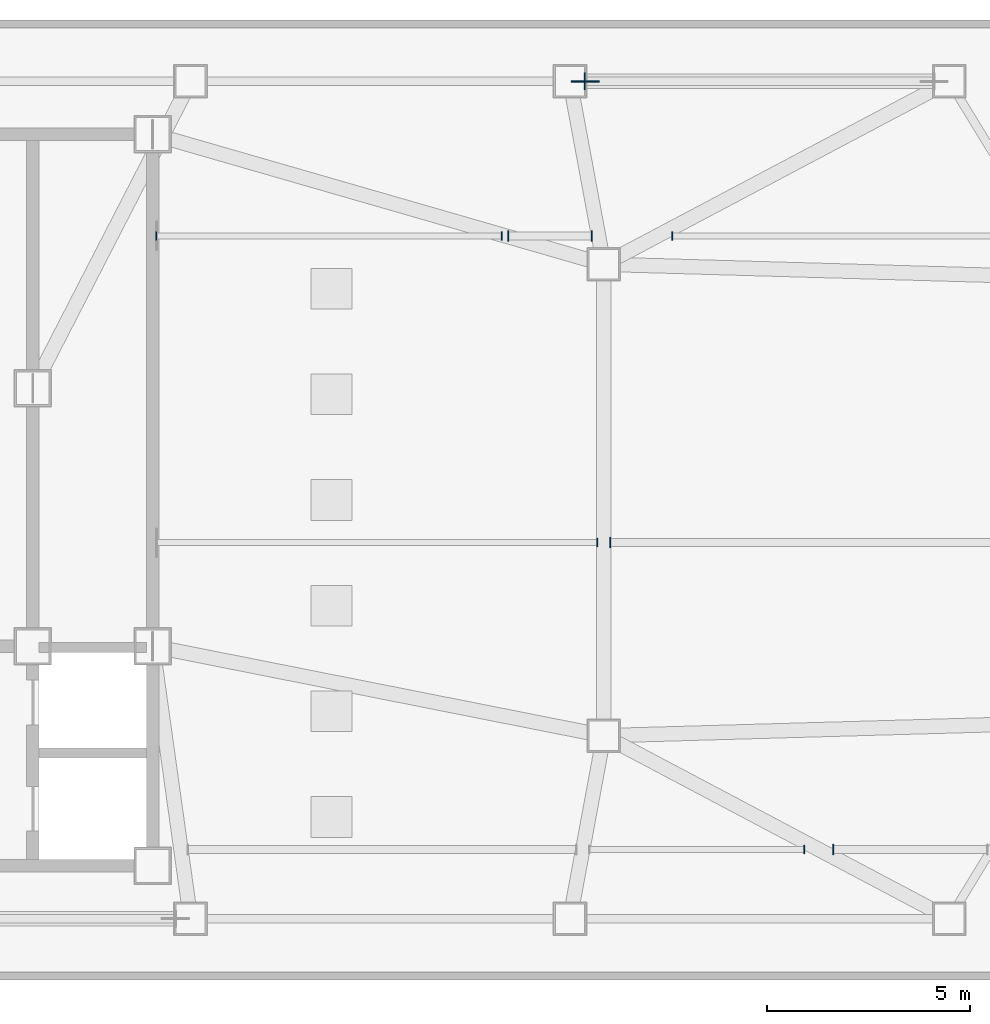
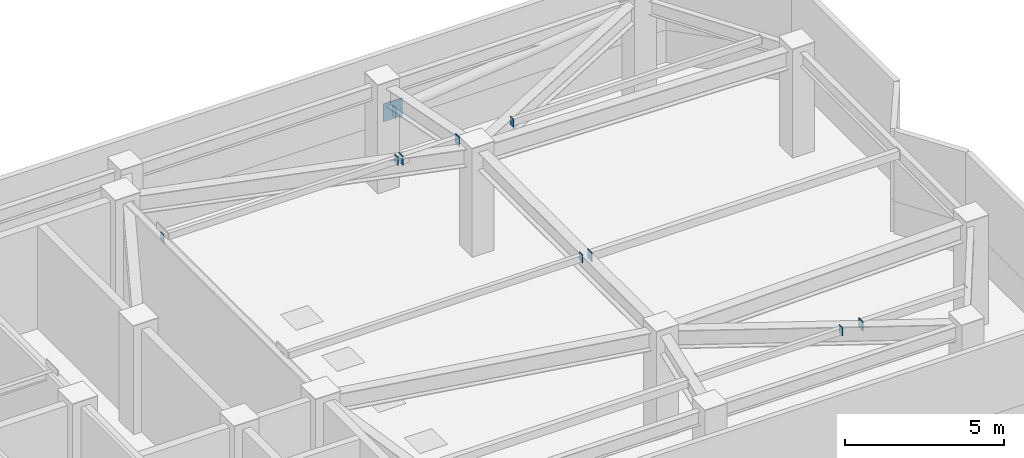
# One storey, part 4 of 7: 11 plates.
"""IFC4 building model written with IfcOpenShell, lengths in metres."""

from ifc_helpers import new_model, si_unit, direction, frame, origin, origin_2d, place, context, subcontext, project, spatial, rectangle, extrude, material, layer, layer_set, type_object, element, save


model = new_model("IFC4")

# Units and contexts
model_context = context("Model", 3, precision=1e-05, world=origin(), true_north=direction((0.0, 1.0)))
body_context = subcontext(model_context, "Body", "Model", "MODEL_VIEW")
ifc_project = project(units=[si_unit("LENGTHUNIT", "METRE"), si_unit("AREAUNIT", "SQUARE_METRE"), si_unit("VOLUMEUNIT", "CUBIC_METRE"), si_unit("PLANEANGLEUNIT", "RADIAN"), si_unit("MASSUNIT", "GRAM", prefix="KILO")], contexts=[model_context])

# Site, building, storey
site_placement = place(None, origin())
site = spatial("IfcSite", under=ifc_project, at=site_placement, CompositionType="ELEMENT")
building_placement = place(site_placement, origin())
building = spatial("IfcBuilding", under=site, at=building_placement, Name="Khamvora Tower", CompositionType="ELEMENT")
storey_placement = place(building_placement, frame((0.0, 0.0, 307.85009765625)))
storey = spatial("IfcBuildingStorey", under=building, at=storey_placement, Name="ROOF", CompositionType="ELEMENT", Elevation=307.85009765625)

# Plates
ifc_material_1 = material(Name="Steel S355", Category="steel")
ifc_layer_1 = layer(ifc_material_1, 0.02490234375)
ifc_layer_set_1 = layer_set([ifc_layer_1], Name="Steel S355")
plate_type_1 = type_object("IfcPlateType", Name="PL-CAP-25", PredefinedType="SHEET", material=ifc_layer_set_1)
plate_1_placement = place(storey_placement, frame((50.032958984375, 38.300048828125, 2.511962890625), z_axis=(0.0, 0.0, 1.0), x_axis=(1.0, 0.0, 0.0)))
element("IfcPlate", 1, at=plate_1_placement, inside=storey, type_object=plate_type_1, Name="ROOF hollow section steel end cap plate 1327", PredefinedType="SHEET", context=body_context, shape_type="SweptSolid", body=[
    extrude(rectangle(XDim=0.02490234375, YDim=0.416015625, at=origin_2d()), origin(), (0.0, 0.0, 1.0), 0.416015625),
])
plate_2_placement = place(storey_placement, frame((55.427978515625, 19.39990234375, 3.669921875), z_axis=(0.0, 0.0, 1.0), x_axis=(1.0, 0.0, 0.0)))
element("IfcPlate", 2, at=plate_2_placement, inside=storey, type_object=plate_type_1, Name="ROOF hollow section steel end cap plate 1332", PredefinedType="SHEET", context=body_context, shape_type="SweptSolid", body=[
    extrude(rectangle(XDim=0.02490234375, YDim=0.2099609375, at=origin_2d()), origin(), (0.0, 0.0, 1.0), 0.31005859375),
])
plate_3_placement = place(storey_placement, frame((56.14990234375, 19.39990234375, 3.61962890625), z_axis=(0.0, 0.0, 1.0), x_axis=(1.0, 0.0, 0.0)))
element("IfcPlate", 3, at=plate_3_placement, inside=storey, type_object=plate_type_1, Name="ROOF hollow section steel end cap plate 1333", PredefinedType="SHEET", context=body_context, shape_type="SweptSolid", body=[
    extrude(rectangle(XDim=0.02490234375, YDim=0.260009765625, at=origin_2d()), origin(), (0.0, 0.0, 1.0), 0.360107421875),
])
plate_4_placement = place(storey_placement, frame((50.341064453125, 26.949951171875, 3.669921875), z_axis=(0.0, 0.0, 1.0), x_axis=(1.0, 0.0, 0.0)))
element("IfcPlate", 4, at=plate_4_placement, inside=storey, type_object=plate_type_1, Name="ROOF hollow section steel end cap plate 1336", PredefinedType="SHEET", context=body_context, shape_type="SweptSolid", body=[
    extrude(rectangle(XDim=0.02490234375, YDim=0.2099609375, at=origin_2d()), origin(), (0.0, 0.0, 1.0), 0.31005859375),
])
plate_5_placement = place(storey_placement, frame((50.658935546875, 26.949951171875, 3.61962890625), z_axis=(0.0, 0.0, 1.0), x_axis=(1.0, 0.0, 0.0)))
element("IfcPlate", 5, at=plate_5_placement, inside=storey, type_object=plate_type_1, Name="ROOF hollow section steel end cap plate 1337", PredefinedType="SHEET", context=body_context, shape_type="SweptSolid", body=[
    extrude(rectangle(XDim=0.02490234375, YDim=0.260009765625, at=origin_2d()), origin(), (0.0, 0.0, 1.0), 0.360107421875),
])
for number, where, z_axis, x_axis, name in (
    (6, (39.486083984375, 34.5, 3.669921875), (0.0, 0.0, 1.0), (1.0, 0.0, 0.0), "ROOF hollow section steel end cap plate 1339"),
    (7, (47.989013671875, 34.5, 3.669921875), (0.0, 0.0, 1.0), (1.0, 0.0, 0.0), "ROOF hollow section steel end cap plate 1340"),
):
    element("IfcPlate", number, at=place(storey_placement, frame(where, z_axis=z_axis, x_axis=x_axis)), inside=storey, type_object=plate_type_1, Name=name, PredefinedType="SHEET", context=body_context, shape_type="SweptSolid", body=[
        extrude(rectangle(XDim=0.02490234375, YDim=0.2099609375, at=origin_2d()), origin(), (0.0, 0.0, 1.0), 0.31005859375),
    ])
for number, where, z_axis, x_axis, name in (
    (8, (48.154052734375, 34.5, 3.61962890625), (0.0, 0.0, 1.0), (1.0, 0.0, 0.0), "ROOF hollow section steel end cap plate 1341"),
    (9, (50.2080078125, 34.5, 3.61962890625), (0.0, 0.0, 1.0), (1.0, 0.0, 0.0), "ROOF hollow section steel end cap plate 1342"),
):
    element("IfcPlate", number, at=place(storey_placement, frame(where, z_axis=z_axis, x_axis=x_axis)), inside=storey, type_object=plate_type_1, Name=name, PredefinedType="SHEET", context=body_context, shape_type="SweptSolid", body=[
        extrude(rectangle(XDim=0.02490234375, YDim=0.260009765625, at=origin_2d()), origin(), (0.0, 0.0, 1.0), 0.360107421875),
    ])
plate_6_placement = place(storey_placement, frame((52.18408203125, 34.5, 3.669921875), z_axis=(0.0, 0.0, 1.0), x_axis=(1.0, 0.0, 0.0)))
element("IfcPlate", 10, at=plate_6_placement, inside=storey, type_object=plate_type_1, Name="ROOF hollow section steel end cap plate 1343", PredefinedType="SHEET", context=body_context, shape_type="SweptSolid", body=[
    extrude(rectangle(XDim=0.02490234375, YDim=0.2099609375, at=origin_2d()), origin(), (0.0, 0.0, 1.0), 0.31005859375),
])
ifc_material_2 = material(Name="Steel S460", Category="steel")
ifc_layer_2 = layer(ifc_material_2, 0.0400390625)
ifc_layer_set_2 = layer_set([ifc_layer_2], Name="Steel S460")
plate_type_2 = type_object("IfcPlateType", Name="PLT-GUS-40", PredefinedType="SHEET", material=ifc_layer_set_2)
plate_7_placement = place(storey_placement, frame((50.044921875, 38.300048828125, 2.380859375), z_axis=(0.0, 0.0, 1.0), x_axis=(1.0, 0.0, 0.0)))
element("IfcPlate", 11, at=plate_7_placement, inside=storey, type_object=plate_type_2, Name="ROOF brace connection node gusset plate 0475", PredefinedType="SHEET", context=body_context, shape_type="SweptSolid", body=[
    extrude(rectangle(XDim=0.679931640625, YDim=0.0400390625, at=origin_2d()), origin(), (0.0, 0.0, 1.0), 0.679931640625),
])

save(model, "model.ifc")
